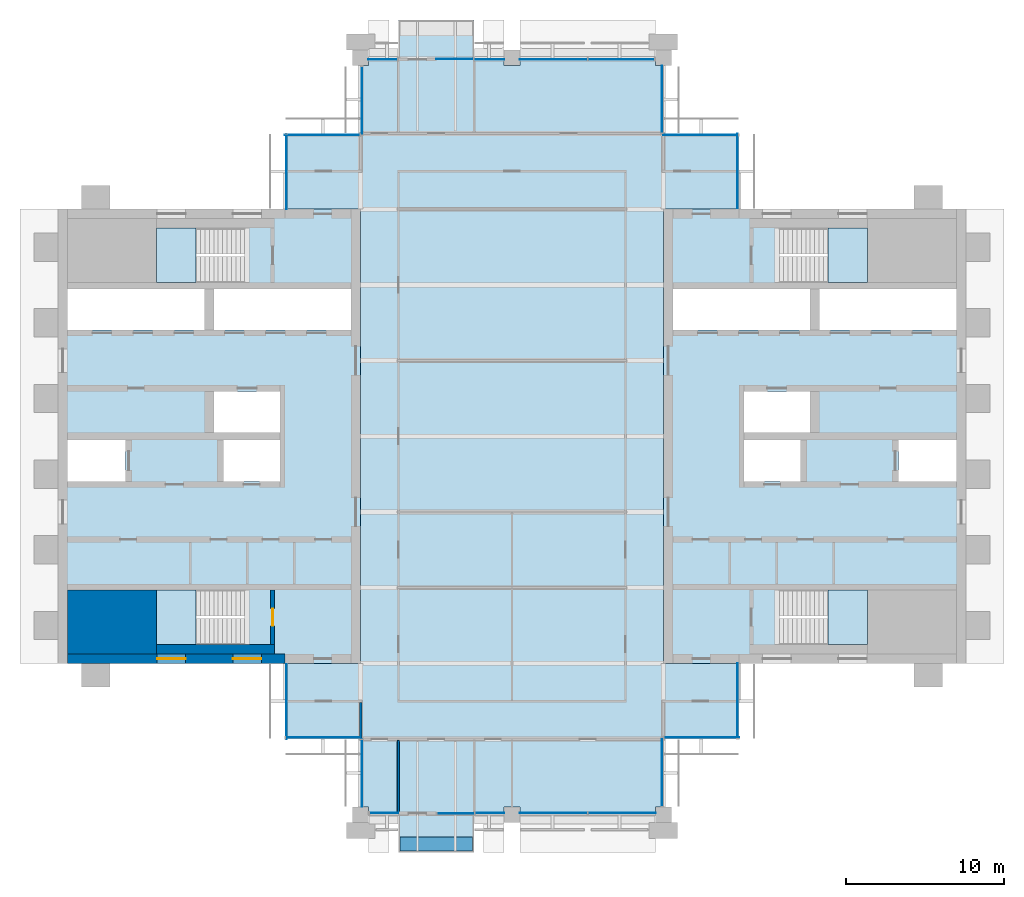
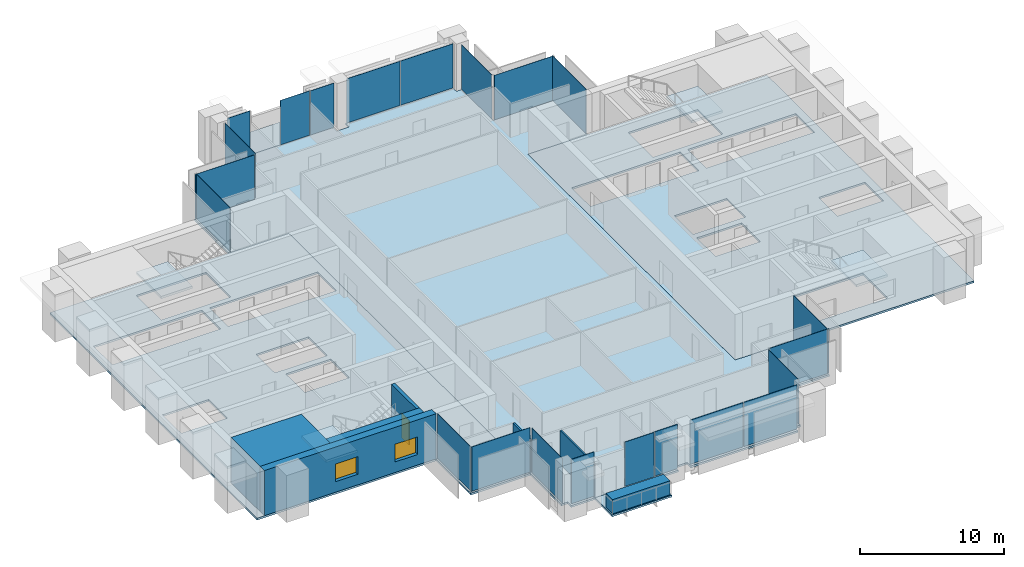
# One storey, part 7 of 13: 22 plates, 9 slabs, 7 walls, 2 windows, 1 door, 3 openings, 22 elements without a shape of their own.
"""IFC4 building model written with IfcOpenShell, lengths in metres."""

from ifc_helpers import new_model, si_unit, direction, frame, frame_2d, origin, origin_2d, place, context, subcontext, project, spatial, polyline, rectangle, outline, extrude, material, layer, layer_set, type_object, element, fill, aggregate, save


model = new_model("IFC4")

# Units and contexts
model_context = context("Model", 3, precision=1e-05, world=origin(), true_north=direction((0.0, 1.0)))
body_context = subcontext(model_context, "Body", "Model", "MODEL_VIEW")
ifc_project = project(units=[si_unit("LENGTHUNIT", "METRE"), si_unit("AREAUNIT", "SQUARE_METRE"), si_unit("VOLUMEUNIT", "CUBIC_METRE"), si_unit("PLANEANGLEUNIT", "RADIAN"), si_unit("MASSUNIT", "GRAM", prefix="KILO")], contexts=[model_context])

# Site, building, storey
site_placement = place(None, origin())
site = spatial("IfcSite", under=ifc_project, at=site_placement, CompositionType="ELEMENT")
building_placement = place(site_placement, origin())
building = spatial("IfcBuilding", under=site, at=building_placement, Name="Baori Bourse Tower", CompositionType="ELEMENT")
storey_placement = place(building_placement, frame((0.0, 0.0, 338.300048828125)))
storey = spatial("IfcBuildingStorey", under=building, at=storey_placement, Name="L75", CompositionType="ELEMENT", Elevation=338.300048828125)

# Slabs
ifc_material_1 = material(Name="Concrete f'c 40 MPa", Category="concrete")
ifc_layer_1 = layer(ifc_material_1, 0.159912109375)
ifc_layer_set_1 = layer_set([ifc_layer_1], Name="BL2 Balcony slab 160")
slab_type_1 = type_object("IfcSlabType", Name="BL2 Balcony slab 160", PredefinedType="FLOOR", material=ifc_layer_set_1)
slab_1_placement = place(storey_placement, frame((0.0, 0.0, -0.16015625)))
element("IfcSlab", 1, at=slab_1_placement, inside=storey, type_object=slab_type_1, Name="Balcony slab L75 S", PredefinedType="FLOOR", context=body_context, shape_type="SweptSolid", body=[
    extrude(outline(polyline([(21.60009765625, 0.0), (21.60009765625, -2.39990234375), (26.39990234375, -2.39990234375), (26.39990234375, 0.0), (21.60009765625, 0.0)])), origin(), (0.0, 0.0, 1.0), 0.16015625),
])
slab_2_placement = place(storey_placement, frame((0.0, 0.0, -0.16015625)))
element("IfcSlab", 2, at=slab_2_placement, inside=storey, type_object=slab_type_1, Name="Balcony slab L75 N", PredefinedType="FLOOR", context=body_context, shape_type="SweptSolid", body=[
    extrude(outline(polyline([(21.60009765625, 48.0), (26.39990234375, 48.0), (26.39990234375, 50.39990234375), (21.60009765625, 50.39990234375), (21.60009765625, 48.0)])), origin(), (0.0, 0.0, 1.0), 0.16015625),
])

# Curtain wall, plate
ifc_material_2 = material(Name="Pale anodised aluminium", Category="aluminium")
curtain_wall_type_1 = type_object("IfcCurtainWallType", Name="CW2 Curtain wall", PredefinedType="NOTDEFINED", material=ifc_material_2)
curtain_wall_1_placement = place(storey_placement, origin())
curtain_wall_1 = element("IfcCurtainWall", 3, at=curtain_wall_1_placement, inside=storey, type_object=curtain_wall_type_1, Name="Curtain wall CW2 L75 1", PredefinedType="NOTDEFINED")
ifc_material_3 = material(Name="Clear glass", Category="glass")
ifc_layer_2 = layer(ifc_material_3, 0.030029296875)
ifc_layer_set_2 = layer_set([ifc_layer_2], Name="CW2 Curtain wall panel")
plate_type_1 = type_object("IfcPlateType", Name="CW2 Curtain wall panel", PredefinedType="CURTAIN_PANEL", material=ifc_layer_set_2)
plate_1_placement = place(storey_placement, frame((43.110107421875, 40.827392578125, 0.06982421875), z_axis=(0.0, 0.0, 1.0), x_axis=(0.0, 1.0, 0.0)))
plate_1 = element("IfcPlate", 4, at=plate_1_placement, type_object=plate_type_1, Name="Curtain wall CW2 panel", PredefinedType="CURTAIN_PANEL", context=body_context, shape_type="SweptSolid", body=[
    extrude(rectangle(XDim=4.7451171875, YDim=0.030029296875, at=origin_2d()), origin(), (0.0, 0.0, 1.0), 3.77001953125),
])
aggregate(curtain_wall_1, [plate_1])

curtain_wall_2_placement = place(storey_placement, origin())
curtain_wall_2 = element("IfcCurtainWall", 5, at=curtain_wall_2_placement, inside=storey, type_object=curtain_wall_type_1, Name="Curtain wall CW2 L75 2", PredefinedType="NOTDEFINED")
plate_2_placement = place(storey_placement, frame((40.7724609375, 43.110107421875, 0.06982421875), z_axis=(0.0, 0.0, 1.0), x_axis=(-1.0, 0.0, 0.0)))
plate_2 = element("IfcPlate", 6, at=plate_2_placement, type_object=plate_type_1, Name="Curtain wall CW2 panel", PredefinedType="CURTAIN_PANEL", context=body_context, shape_type="SweptSolid", body=[
    extrude(rectangle(XDim=4.7451171875, YDim=0.030029296875, at=origin_2d()), origin(), (0.0, 0.0, 1.0), 3.77001953125),
])
aggregate(curtain_wall_2, [plate_2])

curtain_wall_3_placement = place(storey_placement, origin())
curtain_wall_3 = element("IfcCurtainWall", 7, at=curtain_wall_3_placement, inside=storey, type_object=curtain_wall_type_1, Name="Curtain wall CW2 L75 3", PredefinedType="NOTDEFINED")
plate_3_placement = place(storey_placement, frame((38.31005859375, 45.37744140625, 0.06982421875), z_axis=(0.0, 0.0, 1.0), x_axis=(0.0, 1.0, 0.0)))
plate_3 = element("IfcPlate", 8, at=plate_3_placement, type_object=plate_type_1, Name="Curtain wall CW2 panel", PredefinedType="CURTAIN_PANEL", context=body_context, shape_type="SweptSolid", body=[
    extrude(rectangle(XDim=4.2451171875, YDim=0.030029296875, at=origin_2d()), origin(), (0.0, 0.0, 1.0), 3.77001953125),
])
aggregate(curtain_wall_3, [plate_3])

curtain_wall_4_placement = place(storey_placement, origin())
curtain_wall_4 = element("IfcCurtainWall", 9, at=curtain_wall_4_placement, inside=storey, type_object=curtain_wall_type_1, Name="Curtain wall CW2 L75 7", PredefinedType="NOTDEFINED")
plate_4_placement = place(storey_placement, frame((19.2900390625, 45.322509765625, 0.06982421875), z_axis=(0.0, 0.0, 1.0), x_axis=(0.0, -1.0, 0.0)))
plate_4 = element("IfcPlate", 10, at=plate_4_placement, type_object=plate_type_1, Name="Curtain wall CW2 panel", PredefinedType="CURTAIN_PANEL", context=body_context, shape_type="SweptSolid", body=[
    extrude(rectangle(XDim=4.2451171875, YDim=0.030029296875, at=origin_2d()), origin(), (0.0, 0.0, 1.0), 3.77001953125),
])
aggregate(curtain_wall_4, [plate_4])

curtain_wall_5_placement = place(storey_placement, origin())
curtain_wall_5 = element("IfcCurtainWall", 11, at=curtain_wall_5_placement, inside=storey, type_object=curtain_wall_type_1, Name="Curtain wall CW2 L75 8", PredefinedType="NOTDEFINED")
plate_5_placement = place(storey_placement, frame((16.7724609375, 43.110107421875, 0.06982421875), z_axis=(0.0, 0.0, 1.0), x_axis=(-1.0, 0.0, 0.0)))
plate_5 = element("IfcPlate", 12, at=plate_5_placement, type_object=plate_type_1, Name="Curtain wall CW2 panel", PredefinedType="CURTAIN_PANEL", context=body_context, shape_type="SweptSolid", body=[
    extrude(rectangle(XDim=4.7451171875, YDim=0.030029296875, at=origin_2d()), origin(), (0.0, 0.0, 1.0), 3.77001953125),
])
aggregate(curtain_wall_5, [plate_5])

curtain_wall_6_placement = place(storey_placement, origin())
curtain_wall_6 = element("IfcCurtainWall", 13, at=curtain_wall_6_placement, inside=storey, type_object=curtain_wall_type_1, Name="Curtain wall CW2 L75 9", PredefinedType="NOTDEFINED")
plate_6_placement = place(storey_placement, frame((14.489990234375, 40.7724609375, 0.06982421875), z_axis=(0.0, 0.0, 1.0), x_axis=(0.0, -1.0, 0.0)))
plate_6 = element("IfcPlate", 14, at=plate_6_placement, type_object=plate_type_1, Name="Curtain wall CW2 panel", PredefinedType="CURTAIN_PANEL", context=body_context, shape_type="SweptSolid", body=[
    extrude(rectangle(XDim=4.7451171875, YDim=0.030029296875, at=origin_2d()), origin(), (0.0, 0.0, 1.0), 3.77001953125),
])
aggregate(curtain_wall_6, [plate_6])

curtain_wall_7_placement = place(storey_placement, origin())
curtain_wall_7 = element("IfcCurtainWall", 15, at=curtain_wall_7_placement, inside=storey, type_object=curtain_wall_type_1, Name="Curtain wall CW2 L75 10", PredefinedType="NOTDEFINED")
plate_7_placement = place(storey_placement, frame((14.489990234375, 7.172607421875, 0.06982421875), z_axis=(0.0, 0.0, 1.0), x_axis=(0.0, -1.0, 0.0)))
plate_7 = element("IfcPlate", 16, at=plate_7_placement, type_object=plate_type_1, Name="Curtain wall CW2 panel", PredefinedType="CURTAIN_PANEL", context=body_context, shape_type="SweptSolid", body=[
    extrude(rectangle(XDim=4.7451171875, YDim=0.030029296875, at=origin_2d()), origin(), (0.0, 0.0, 1.0), 3.77001953125),
])
aggregate(curtain_wall_7, [plate_7])

curtain_wall_8_placement = place(storey_placement, origin())
curtain_wall_8 = element("IfcCurtainWall", 17, at=curtain_wall_8_placement, inside=storey, type_object=curtain_wall_type_1, Name="Curtain wall CW2 L75 11", PredefinedType="NOTDEFINED")
plate_8_placement = place(storey_placement, frame((16.827392578125, 4.889892578125, 0.06982421875), z_axis=(0.0, 0.0, 1.0), x_axis=(1.0, 0.0, 0.0)))
plate_8 = element("IfcPlate", 18, at=plate_8_placement, type_object=plate_type_1, Name="Curtain wall CW2 panel", PredefinedType="CURTAIN_PANEL", context=body_context, shape_type="SweptSolid", body=[
    extrude(rectangle(XDim=4.7451171875, YDim=0.030029296875, at=origin_2d()), origin(), (0.0, 0.0, 1.0), 3.77001953125),
])
aggregate(curtain_wall_8, [plate_8])

curtain_wall_9_placement = place(storey_placement, origin())
curtain_wall_9 = element("IfcCurtainWall", 19, at=curtain_wall_9_placement, inside=storey, type_object=curtain_wall_type_1, Name="Curtain wall CW2 L75 12", PredefinedType="NOTDEFINED")
plate_9_placement = place(storey_placement, frame((19.2900390625, 2.62255859375, 0.06982421875), z_axis=(0.0, 0.0, 1.0), x_axis=(0.0, -1.0, 0.0)))
plate_9 = element("IfcPlate", 20, at=plate_9_placement, type_object=plate_type_1, Name="Curtain wall CW2 panel", PredefinedType="CURTAIN_PANEL", context=body_context, shape_type="SweptSolid", body=[
    extrude(rectangle(XDim=4.2451171875, YDim=0.030029296875, at=origin_2d()), origin(), (0.0, 0.0, 1.0), 3.77001953125),
])
aggregate(curtain_wall_9, [plate_9])

curtain_wall_10_placement = place(storey_placement, origin())
curtain_wall_10 = element("IfcCurtainWall", 21, at=curtain_wall_10_placement, inside=storey, type_object=curtain_wall_type_1, Name="Curtain wall CW2 L75 16", PredefinedType="NOTDEFINED")
plate_10_placement = place(storey_placement, frame((38.31005859375, 2.677490234375, 0.06982421875), z_axis=(0.0, 0.0, 1.0), x_axis=(0.0, 1.0, 0.0)))
plate_10 = element("IfcPlate", 22, at=plate_10_placement, type_object=plate_type_1, Name="Curtain wall CW2 panel", PredefinedType="CURTAIN_PANEL", context=body_context, shape_type="SweptSolid", body=[
    extrude(rectangle(XDim=4.2451171875, YDim=0.030029296875, at=origin_2d()), origin(), (0.0, 0.0, 1.0), 3.77001953125),
])
aggregate(curtain_wall_10, [plate_10])

curtain_wall_11_placement = place(storey_placement, origin())
curtain_wall_11 = element("IfcCurtainWall", 23, at=curtain_wall_11_placement, inside=storey, type_object=curtain_wall_type_1, Name="Curtain wall CW2 L75 17", PredefinedType="NOTDEFINED")
plate_11_placement = place(storey_placement, frame((40.827392578125, 4.889892578125, 0.06982421875), z_axis=(0.0, 0.0, 1.0), x_axis=(1.0, 0.0, 0.0)))
plate_11 = element("IfcPlate", 24, at=plate_11_placement, type_object=plate_type_1, Name="Curtain wall CW2 panel", PredefinedType="CURTAIN_PANEL", context=body_context, shape_type="SweptSolid", body=[
    extrude(rectangle(XDim=4.7451171875, YDim=0.030029296875, at=origin_2d()), origin(), (0.0, 0.0, 1.0), 3.77001953125),
])
aggregate(curtain_wall_11, [plate_11])

curtain_wall_12_placement = place(storey_placement, origin())
curtain_wall_12 = element("IfcCurtainWall", 25, at=curtain_wall_12_placement, inside=storey, type_object=curtain_wall_type_1, Name="Curtain wall CW2 L75 18", PredefinedType="NOTDEFINED")
plate_12_placement = place(storey_placement, frame((43.110107421875, 7.2275390625, 0.06982421875), z_axis=(0.0, 0.0, 1.0), x_axis=(0.0, 1.0, 0.0)))
plate_12 = element("IfcPlate", 26, at=plate_12_placement, type_object=plate_type_1, Name="Curtain wall CW2 panel", PredefinedType="CURTAIN_PANEL", context=body_context, shape_type="SweptSolid", body=[
    extrude(rectangle(XDim=4.7451171875, YDim=0.030029296875, at=origin_2d()), origin(), (0.0, 0.0, 1.0), 3.77001953125),
])
aggregate(curtain_wall_12, [plate_12])

# Curtain wall, plates
ifc_material_4 = material(Name="Pale anodised aluminium", Category="aluminium")
curtain_wall_type_2 = type_object("IfcCurtainWallType", Name="CW5 Curtain wall", PredefinedType="NOTDEFINED", material=ifc_material_4)
curtain_wall_13_placement = place(storey_placement, origin())
curtain_wall_13 = element("IfcCurtainWall", 27, at=curtain_wall_13_placement, inside=storey, type_object=curtain_wall_type_2, Name="Curtain wall CW5 L75 4", PredefinedType="NOTDEFINED")
ifc_material_5 = material(Name="Clear glass", Category="glass")
ifc_layer_3 = layer(ifc_material_5, 0.035888671875)
ifc_layer_set_3 = layer_set([ifc_layer_3], Name="CW5 Curtain wall panel")
plate_type_2 = type_object("IfcPlateType", Name="CW5 Curtain wall panel", PredefinedType="CURTAIN_PANEL", material=ifc_layer_set_3)
plate_13_placement = place(storey_placement, frame((35.733642578125, 47.889892578125, 0.0849609375), z_axis=(0.0, 0.0, 1.0), x_axis=(-1.0, 0.0, 0.0)))
plate_13 = element("IfcPlate", 28, at=plate_13_placement, type_object=plate_type_2, Name="Curtain wall CW5 panel", PredefinedType="CURTAIN_PANEL", context=body_context, shape_type="SweptSolid", body=[
    extrude(rectangle(XDim=4.202392578125, YDim=0.035888671875, at=origin_2d()), origin(), (0.0, 0.0, 1.0), 3.7548828125),
])
plate_14_placement = place(storey_placement, frame((31.433837890625, 47.889892578125, 0.0849609375), z_axis=(0.0, 0.0, 1.0), x_axis=(-1.0, 0.0, 0.0)))
plate_14 = element("IfcPlate", 29, at=plate_14_placement, type_object=plate_type_2, Name="Curtain wall CW5 panel", PredefinedType="CURTAIN_PANEL", context=body_context, shape_type="SweptSolid", body=[
    extrude(rectangle(XDim=4.267578125, YDim=0.035888671875, at=origin_2d()), origin(), (0.0, 0.0, 1.0), 3.7548828125),
])
plate_15_placement = place(storey_placement, frame((27.35009765625, 47.889892578125, 0.0849609375), z_axis=(0.0, 0.0, 1.0), x_axis=(-1.0, 0.0, 0.0)))
plate_15 = element("IfcPlate", 30, at=plate_15_placement, type_object=plate_type_2, Name="Curtain wall CW5 panel", PredefinedType="CURTAIN_PANEL", context=body_context, shape_type="SweptSolid", body=[
    extrude(rectangle(XDim=1.89990234375, YDim=0.035888671875, at=origin_2d()), origin(), (0.0, 0.0, 1.0), 3.7548828125),
])
aggregate(curtain_wall_13, [plate_13, plate_14, plate_15])

# Curtain wall, plate
curtain_wall_14_placement = place(storey_placement, origin())
curtain_wall_14 = element("IfcCurtainWall", 31, at=curtain_wall_14_placement, inside=storey, type_object=curtain_wall_type_2, Name="Curtain wall CW5 L75 6", PredefinedType="NOTDEFINED")
plate_16_placement = place(storey_placement, frame((20.617431640625, 47.889892578125, 0.0849609375), z_axis=(0.0, 0.0, 1.0), x_axis=(-1.0, 0.0, 0.0)))
plate_16 = element("IfcPlate", 32, at=plate_16_placement, type_object=plate_type_2, Name="Curtain wall CW5 panel", PredefinedType="CURTAIN_PANEL", context=body_context, shape_type="SweptSolid", body=[
    extrude(rectangle(XDim=1.8349609375, YDim=0.035888671875, at=origin_2d()), origin(), (0.0, 0.0, 1.0), 3.7548828125),
])
aggregate(curtain_wall_14, [plate_16])

curtain_wall_15_placement = place(storey_placement, origin())
curtain_wall_15 = element("IfcCurtainWall", 33, at=curtain_wall_15_placement, inside=storey, type_object=curtain_wall_type_2, Name="Curtain wall CW5 L75 13", PredefinedType="NOTDEFINED")
plate_17_placement = place(storey_placement, frame((20.6826171875, 0.110107421875, 0.0849609375), z_axis=(0.0, 0.0, 1.0), x_axis=(1.0, 0.0, 0.0)))
plate_17 = element("IfcPlate", 34, at=plate_17_placement, type_object=plate_type_2, Name="Curtain wall CW5 panel", PredefinedType="CURTAIN_PANEL", context=body_context, shape_type="SweptSolid", body=[
    extrude(rectangle(XDim=1.8349609375, YDim=0.035888671875, at=origin_2d()), origin(), (0.0, 0.0, 1.0), 3.7548828125),
])
aggregate(curtain_wall_15, [plate_17])

# Curtain wall, plates
curtain_wall_16_placement = place(storey_placement, origin())
curtain_wall_16 = element("IfcCurtainWall", 35, at=curtain_wall_16_placement, inside=storey, type_object=curtain_wall_type_2, Name="Curtain wall CW5 L75 15", PredefinedType="NOTDEFINED")
plate_18_placement = place(storey_placement, frame((27.382568359375, 0.110107421875, 0.0849609375), z_axis=(0.0, 0.0, 1.0), x_axis=(1.0, 0.0, 0.0)))
plate_18 = element("IfcPlate", 36, at=plate_18_placement, type_object=plate_type_2, Name="Curtain wall CW5 panel", PredefinedType="CURTAIN_PANEL", context=body_context, shape_type="SweptSolid", body=[
    extrude(rectangle(XDim=1.8349609375, YDim=0.035888671875, at=origin_2d()), origin(), (0.0, 0.0, 1.0), 3.7548828125),
])
plate_19_placement = place(storey_placement, frame((31.433837890625, 0.110107421875, 0.0849609375), z_axis=(0.0, 0.0, 1.0), x_axis=(1.0, 0.0, 0.0)))
plate_19 = element("IfcPlate", 37, at=plate_19_placement, type_object=plate_type_2, Name="Curtain wall CW5 panel", PredefinedType="CURTAIN_PANEL", context=body_context, shape_type="SweptSolid", body=[
    extrude(rectangle(XDim=4.267578125, YDim=0.035888671875, at=origin_2d()), origin(), (0.0, 0.0, 1.0), 3.7548828125),
])
plate_20_placement = place(storey_placement, frame((35.766357421875, 0.110107421875, 0.0849609375), z_axis=(0.0, 0.0, 1.0), x_axis=(1.0, 0.0, 0.0)))
plate_20 = element("IfcPlate", 38, at=plate_20_placement, type_object=plate_type_2, Name="Curtain wall CW5 panel", PredefinedType="CURTAIN_PANEL", context=body_context, shape_type="SweptSolid", body=[
    extrude(rectangle(XDim=4.267578125, YDim=0.035888671875, at=origin_2d()), origin(), (0.0, 0.0, 1.0), 3.7548828125),
])
aggregate(curtain_wall_16, [plate_18, plate_19, plate_20])

# Curtain wall, plate
ifc_material_6 = material(Name="Pale anodised aluminium", Category="aluminium")
curtain_wall_type_3 = type_object("IfcCurtainWallType", Name="CW6 Curtain wall", PredefinedType="NOTDEFINED", material=ifc_material_6)
curtain_wall_17_placement = place(storey_placement, origin())
curtain_wall_17 = element("IfcCurtainWall", 39, at=curtain_wall_17_placement, inside=storey, type_object=curtain_wall_type_3, Name="Curtain wall CW6 L75 5", PredefinedType="NOTDEFINED")
ifc_material_7 = material(Name="Clear glass", Category="glass")
ifc_layer_4 = layer(ifc_material_7, 0.028076171875)
ifc_layer_set_4 = layer_set([ifc_layer_4], Name="CW6 Curtain wall panel")
plate_type_3 = type_object("IfcPlateType", Name="CW6 Curtain wall panel", PredefinedType="CURTAIN_PANEL", material=ifc_layer_set_4)
plate_21_placement = place(storey_placement, frame((25.175048828125, 47.925048828125, 0.06494140625), z_axis=(0.0, 0.0, 1.0), x_axis=(-1.0, 0.0, 0.0)))
plate_21 = element("IfcPlate", 40, at=plate_21_placement, type_object=plate_type_3, Name="Curtain wall CW6 panel", PredefinedType="CURTAIN_PANEL", context=body_context, shape_type="SweptSolid", body=[
    extrude(rectangle(XDim=2.35009765625, YDim=0.028076171875, at=origin_2d()), origin(), (0.0, 0.0, 1.0), 3.77490234375),
])
aggregate(curtain_wall_17, [plate_21])

curtain_wall_18_placement = place(storey_placement, origin())
curtain_wall_18 = element("IfcCurtainWall", 41, at=curtain_wall_18_placement, inside=storey, type_object=curtain_wall_type_3, Name="Curtain wall CW6 L75 14", PredefinedType="NOTDEFINED")
plate_22_placement = place(storey_placement, frame((25.22509765625, 0.074951171875, 0.06494140625), z_axis=(0.0, 0.0, 1.0), x_axis=(1.0, 0.0, 0.0)))
plate_22 = element("IfcPlate", 42, at=plate_22_placement, type_object=plate_type_3, Name="Curtain wall CW6 panel", PredefinedType="CURTAIN_PANEL", context=body_context, shape_type="SweptSolid", body=[
    extrude(rectangle(XDim=2.35009765625, YDim=0.028076171875, at=origin_2d()), origin(), (0.0, 0.0, 1.0), 3.77490234375),
])
aggregate(curtain_wall_18, [plate_22])

# Slabs
ifc_material_8 = material(Name="Concrete f'c 50 MPa", Category="concrete")
ifc_layer_5 = layer(ifc_material_8, 0.159912109375)
ifc_layer_set_5 = layer_set([ifc_layer_5], Name="Core slab 160")
slab_type_2 = type_object("IfcSlabType", Name="Core slab 160", PredefinedType="FLOOR", material=ifc_layer_set_5)
slab_3_placement = place(storey_placement, frame((0.0, 0.0, -0.16015625)))
element("IfcSlab", 43, at=slab_3_placement, inside=storey, type_object=slab_type_2, Name="Core floor slab W01", PredefinedType="FLOOR", context=body_context, shape_type="SweptSolid", body=[
    extrude(outline(polyline([(19.199951171875, 38.39990234375), (0.0, 38.39990234375), (0.0, 9.60009765625), (19.199951171875, 9.60009765625), (19.199951171875, 38.39990234375)]), holes=[polyline([(9.89990234375, 33.35009765625), (18.60009765625, 33.35009765625), (18.60009765625, 30.75), (9.89990234375, 30.75), (9.89990234375, 33.35009765625)]), polyline([(10.5, 21.14990234375), (10.5, 23.75), (14.10009765625, 23.75), (14.10009765625, 21.14990234375), (10.5, 21.14990234375)]), polyline([(14.10009765625, 24.25), (9.89990234375, 24.25), (9.89990234375, 26.85009765625), (14.10009765625, 26.85009765625), (14.10009765625, 24.25)]), polyline([(6.25, 14.25), (11.84912109375, 14.25), (11.84912109375, 10.800048828125), (6.25, 10.800048828125), (6.25, 14.25)]), polyline([(11.84912109375, 37.199951171875), (11.84912109375, 33.75), (6.25, 33.75), (6.25, 37.199951171875), (11.84912109375, 37.199951171875)]), polyline([(0.60009765625, 30.75), (0.60009765625, 33.35009765625), (9.300048828125, 33.35009765625), (9.300048828125, 30.75), (0.60009765625, 30.75)]), polyline([(4.300048828125, 23.75), (4.300048828125, 21.14990234375), (0.60009765625, 21.14990234375), (0.60009765625, 23.75), (4.300048828125, 23.75)])]), origin(), (0.0, 0.0, 1.0), 0.16015625),
])
slab_4_placement = place(storey_placement, frame((0.0, 0.0, -0.16015625)))
element("IfcSlab", 44, at=slab_4_placement, inside=storey, type_object=slab_type_2, Name="Core floor slab E01", PredefinedType="FLOOR", context=body_context, shape_type="SweptSolid", body=[
    extrude(outline(polyline([(57.60009765625, 9.60009765625), (57.60009765625, 38.39990234375), (38.39990234375, 38.39990234375), (38.39990234375, 9.60009765625), (57.60009765625, 9.60009765625)]), holes=[polyline([(48.300048828125, 33.35009765625), (57.0, 33.35009765625), (57.0, 30.75), (48.300048828125, 30.75), (48.300048828125, 33.35009765625)]), polyline([(57.0, 21.14990234375), (53.300048828125, 21.14990234375), (53.300048828125, 23.75), (57.0, 23.75), (57.0, 21.14990234375)]), polyline([(45.750732421875, 14.25), (51.35009765625, 14.25), (51.35009765625, 10.800048828125), (45.750732421875, 10.800048828125), (45.750732421875, 14.25)]), polyline([(51.35009765625, 37.199951171875), (51.35009765625, 33.75), (45.750732421875, 33.75), (45.750732421875, 37.199951171875), (51.35009765625, 37.199951171875)]), polyline([(43.5, 24.25), (43.5, 26.85009765625), (47.699951171875, 26.85009765625), (47.699951171875, 24.25), (43.5, 24.25)]), polyline([(47.699951171875, 33.35009765625), (47.699951171875, 30.75), (39.0, 30.75), (39.0, 33.35009765625), (47.699951171875, 33.35009765625)]), polyline([(43.5, 23.75), (47.10009765625, 23.75), (47.10009765625, 21.14990234375), (43.5, 21.14990234375), (43.5, 23.75)])]), origin(), (0.0, 0.0, 1.0), 0.16015625),
])

# Stair, slab
ifc_material_9 = material(Name="Concrete f'c 50 MPa", Category="concrete")
stair_type = type_object("IfcStairType", Name="Core stair", PredefinedType="HALF_TURN_STAIR", material=ifc_material_9)
stair_1_placement = place(storey_placement, origin())
stair_1 = element("IfcStair", 45, at=stair_1_placement, inside=storey, type_object=stair_type, Name="L75 Stair WA", PredefinedType="HALF_TURN_STAIR")
ifc_material_10 = material(Name="Concrete f'c 50 MPa", Category="concrete")
slab_type_3 = type_object("IfcSlabType", Name="Core stair landing", PredefinedType="LANDING", material=ifc_material_10)
slab_5_placement = place(storey_placement, frame((0.0, 0.0, 1.800048828125)))
slab_5 = element("IfcSlab", 46, at=slab_5_placement, type_object=slab_type_3, Name="ST1 landing 1", PredefinedType="LANDING", context=body_context, shape_type="SweptSolid", body=[
    extrude(outline(polyline([(8.77001953125, 14.25), (6.25, 14.25), (6.25, 10.800048828125), (8.77001953125, 10.800048828125), (8.77001953125, 14.25)])), origin(), (0.0, 0.0, 1.0), 0.199951171875),
])
aggregate(stair_1, [slab_5])

stair_2_placement = place(storey_placement, origin())
stair_2 = element("IfcStair", 47, at=stair_2_placement, inside=storey, type_object=stair_type, Name="L75 Stair WB", PredefinedType="HALF_TURN_STAIR")
slab_6_placement = place(storey_placement, frame((0.0, 0.0, 1.800048828125)))
slab_6 = element("IfcSlab", 48, at=slab_6_placement, type_object=slab_type_3, Name="ST2 landing 1", PredefinedType="LANDING", context=body_context, shape_type="SweptSolid", body=[
    extrude(outline(polyline([(8.77001953125, 37.199951171875), (6.25, 37.199951171875), (6.25, 33.75), (8.77001953125, 33.75), (8.77001953125, 37.199951171875)])), origin(), (0.0, 0.0, 1.0), 0.199951171875),
])
aggregate(stair_2, [slab_6])

stair_3_placement = place(storey_placement, origin())
stair_3 = element("IfcStair", 49, at=stair_3_placement, inside=storey, type_object=stair_type, Name="L75 Stair EA", PredefinedType="HALF_TURN_STAIR")
slab_7_placement = place(storey_placement, frame((0.0, 0.0, 1.800048828125)))
slab_7 = element("IfcSlab", 50, at=slab_7_placement, type_object=slab_type_3, Name="ST3 landing 1", PredefinedType="LANDING", context=body_context, shape_type="SweptSolid", body=[
    extrude(outline(polyline([(48.830078125, 10.800048828125), (51.35009765625, 10.800048828125), (51.35009765625, 14.25), (48.830078125, 14.25), (48.830078125, 10.800048828125)])), origin(), (0.0, 0.0, 1.0), 0.199951171875),
])
aggregate(stair_3, [slab_7])

stair_4_placement = place(storey_placement, origin())
stair_4 = element("IfcStair", 51, at=stair_4_placement, inside=storey, type_object=stair_type, Name="L75 Stair EB", PredefinedType="HALF_TURN_STAIR")
slab_8_placement = place(storey_placement, frame((0.0, 0.0, 1.800048828125)))
slab_8 = element("IfcSlab", 52, at=slab_8_placement, type_object=slab_type_3, Name="ST4 landing 1", PredefinedType="LANDING", context=body_context, shape_type="SweptSolid", body=[
    extrude(outline(polyline([(48.830078125, 33.75), (51.35009765625, 33.75), (51.35009765625, 37.199951171875), (48.830078125, 37.199951171875), (48.830078125, 33.75)])), origin(), (0.0, 0.0, 1.0), 0.199951171875),
])
aggregate(stair_4, [slab_8])

# Slab
ifc_material_11 = material(Name="Concrete f'c 40 MPa", Category="concrete")
ifc_layer_6 = layer(ifc_material_11, 0.159912109375)
ifc_layer_set_6 = layer_set([ifc_layer_6], Name="Floor slab 160")
slab_type_4 = type_object("IfcSlabType", Name="Floor slab 160", PredefinedType="FLOOR", material=ifc_layer_set_6)
slab_9_placement = place(storey_placement, frame((0.0, 0.0, -0.16015625)))
element("IfcSlab", 53, at=slab_9_placement, inside=storey, type_object=slab_type_4, Name="Floor slab L75", PredefinedType="FLOOR", context=body_context, shape_type="SweptSolid", body=[
    extrude(outline(polyline([(19.199951171875, 4.800048828125), (14.39990234375, 4.800048828125), (14.39990234375, 9.60009765625), (19.199951171875, 9.60009765625), (19.199951171875, 38.39990234375), (14.39990234375, 38.39990234375), (14.39990234375, 43.199951171875), (19.199951171875, 43.199951171875), (19.199951171875, 47.5), (19.699951171875, 47.5), (19.699951171875, 48.0), (28.300048828125, 48.0), (28.300048828125, 47.5), (29.300048828125, 47.5), (29.300048828125, 48.0), (37.89990234375, 48.0), (37.89990234375, 47.5), (38.39990234375, 47.5), (38.39990234375, 43.199951171875), (43.199951171875, 43.199951171875), (43.199951171875, 38.39990234375), (38.39990234375, 38.39990234375), (38.39990234375, 9.60009765625), (43.199951171875, 9.60009765625), (43.199951171875, 4.800048828125), (38.39990234375, 4.800048828125), (38.39990234375, 0.5), (37.89990234375, 0.5), (37.89990234375, 0.0), (29.300048828125, 0.0), (29.300048828125, 0.5), (28.300048828125, 0.5), (28.300048828125, 0.0), (19.699951171875, 0.0), (19.699951171875, 0.5), (19.199951171875, 0.5), (19.199951171875, 4.800048828125)])), origin(), (0.0, 0.0, 1.0), 0.16015625),
])

# Wall
ifc_material_12 = material(Name="Concrete f'c 40 MPa", Category="concrete")
wall_type_1 = type_object("IfcWallType", Name="Core corner block f'c 40", PredefinedType="SHEAR", material=ifc_material_12)
wall_1_placement = place(storey_placement, frame((0.60009765625, 12.22509765625, 0.0), z_axis=(0.0, 0.0, 1.0), x_axis=(1.0, 0.0, 0.0)))
element("IfcWall", 54, at=wall_1_placement, inside=storey, type_object=wall_type_1, Name="Core wall W05", PredefinedType="SHEAR", context=body_context, shape_type="SweptSolid", body=[
    extrude(rectangle(XDim=5.64990234375, YDim=4.050048828125, at=frame_2d((2.824951171875, 0.0))), origin(), (0.0, 0.0, 1.0), 3.83984375),
])

# Wall, openings, windows
ifc_material_13 = material(Name="Concrete f'c 40 MPa", Category="concrete")
ifc_layer_7 = layer(ifc_material_13, 0.60009765625)
ifc_layer_set_7 = layer_set([ifc_layer_7], Name="Core wall 600 f'c 40")
wall_type_2 = type_object("IfcWallType", Name="Core wall 600 f'c 40", PredefinedType="SHEAR", material=ifc_layer_set_7)
wall_2_placement = place(storey_placement, frame((14.39990234375, 9.89990234375, 0.0), z_axis=(0.0, 0.0, 1.0), x_axis=(-1.0, 0.0, 0.0)))
wall_2 = element("IfcWall", 55, at=wall_2_placement, inside=storey, type_object=wall_type_2, Name="Core wall W02", PredefinedType="SHEAR", context=body_context, shape_type="SweptSolid", body=[
    extrude(rectangle(XDim=13.7998046875, YDim=0.60009765625, at=frame_2d((6.89990234375, 0.0))), origin(), (0.0, 0.0, 1.0), 3.83984375),
])
opening_1_placement = place(wall_2_placement, frame((6.300048828125, 0.0, 0.89990234375)))
opening_1 = element("IfcOpeningElement", 56, at=opening_1_placement, cuts=wall_2, Name="Opening L75-KW103", PredefinedType="OPENING", context=body_context, shape_type="SweptSolid", body=[
    extrude(rectangle(XDim=1.800048828125, YDim=1.5, at=frame_2d((0.89990234375, 0.75))), frame((0.0, 0.31005859375, 0.0), z_axis=(0.0, -1.0, 0.0), x_axis=(1.0, 0.0, 0.0)), (0.0, 0.0, 1.0), 0.6201171875),
])
opening_2_placement = place(wall_2_placement, frame((1.5, 0.0, 0.89990234375)))
opening_2 = element("IfcOpeningElement", 57, at=opening_2_placement, cuts=wall_2, Name="Opening L75-KW104", PredefinedType="OPENING", context=body_context, shape_type="SweptSolid", body=[
    extrude(rectangle(XDim=1.800048828125, YDim=1.5, at=frame_2d((0.89990234375, 0.75))), frame((0.0, 0.31005859375, 0.0), z_axis=(0.0, -1.0, 0.0), x_axis=(1.0, 0.0, 0.0)), (0.0, 0.0, 1.0), 0.6201171875),
])
ifc_material_14 = material(Name="Pale anodised aluminium", Category="aluminium")
window_type = type_object("IfcWindowType", Name="Stair window 1800 x 1500", PartitioningType="SINGLE_PANEL", PredefinedType="WINDOW", material=ifc_material_14)
window_1_placement = place(opening_1_placement, origin())
window_1 = element("IfcWindow", 58, at=window_1_placement, inside=storey, type_object=window_type, Name="Stair window W L75 3", OverallHeight=1.5, OverallWidth=1.800048828125, PartitioningType="SINGLE_PANEL", PredefinedType="WINDOW", context=body_context, shape_type="SweptSolid", body=[
    extrude(rectangle(XDim=1.800048828125, YDim=1.5, at=frame_2d((0.89990234375, 0.75))), frame((0.0, 0.030029296875, 0.0), z_axis=(0.0, -1.0, 0.0), x_axis=(1.0, 0.0, 0.0)), (0.0, 0.0, 1.0), 0.06005859375),
])
fill(opening_1, window_1)
window_2_placement = place(opening_2_placement, origin())
window_2 = element("IfcWindow", 59, at=window_2_placement, inside=storey, type_object=window_type, Name="Stair window W L75 4", OverallHeight=1.5, OverallWidth=1.800048828125, PartitioningType="SINGLE_PANEL", PredefinedType="WINDOW", context=body_context, shape_type="SweptSolid", body=[
    extrude(rectangle(XDim=1.800048828125, YDim=1.5, at=frame_2d((0.89990234375, 0.75))), frame((0.0, 0.030029296875, 0.0), z_axis=(0.0, -1.0, 0.0), x_axis=(1.0, 0.0, 0.0)), (0.0, 0.0, 1.0), 0.06005859375),
])
fill(opening_2, window_2)

# Walls
ifc_material_15 = material(Name="Gypsum board partition")
ifc_layer_8 = layer(ifc_material_15, 0.14990234375)
ifc_layer_set_8 = layer_set([ifc_layer_8], Name="Corridor partition 150")
wall_type_3 = type_object("IfcWallType", Name="Corridor partition 150", PredefinedType="PARTITIONING", material=ifc_layer_set_8)
wall_3_placement = place(storey_placement, frame((19.199951171875, 4.875, 0.0), z_axis=(0.0, 0.0, 1.0), x_axis=(0.0, 1.0, 0.0)))
element("IfcWall", 60, at=wall_3_placement, inside=storey, type_object=wall_type_3, Name="Partition", PredefinedType="PARTITIONING", context=body_context, shape_type="SweptSolid", body=[
    extrude(rectangle(XDim=2.25, YDim=0.14990234375, at=frame_2d((1.125, 0.0))), origin(), (0.0, 0.0, 1.0), 2.86962890625),
])
ifc_material_16 = material(Name="Concrete f'c 40 MPa", Category="concrete")
ifc_layer_9 = layer(ifc_material_16, 0.89990234375)
ifc_layer_set_9 = layer_set([ifc_layer_9], Name="PW1 Planter wall")
wall_type_4 = type_object("IfcWallType", Name="PW1 Planter wall", PredefinedType="USERDEFINED", material=ifc_layer_set_9)
wall_4_placement = place(storey_placement, frame((21.699951171875, -1.85009765625, 0.0), z_axis=(0.0, 0.0, 1.0), x_axis=(1.0, 0.0, 0.0)))
element("IfcWall", 61, at=wall_4_placement, inside=storey, type_object=wall_type_4, Name="Planter balcony S L75 1", ObjectType="PLANTER", PredefinedType="USERDEFINED", context=body_context, shape_type="SweptSolid", body=[
    extrude(rectangle(XDim=4.60009765625, YDim=0.89990234375, at=frame_2d((2.300048828125, 0.0))), origin(), (0.0, 0.0, 1.0), 1.199951171875),
])
ifc_material_17 = material(Name="Gypsum board partition")
ifc_layer_10 = layer(ifc_material_17, 0.125)
ifc_layer_set_10 = layer_set([ifc_layer_10], Name="Partition 125")
wall_type_5 = type_object("IfcWallType", Name="Partition 125", PredefinedType="PARTITIONING", material=ifc_layer_set_10)
wall_5_placement = place(storey_placement, frame((21.60009765625, 0.10009765625, 0.0), z_axis=(0.0, 0.0, 1.0), x_axis=(0.0, 1.0, 0.0)))
element("IfcWall", 62, at=wall_5_placement, inside=storey, type_object=wall_type_5, Name="Partition", PredefinedType="PARTITIONING", context=body_context, shape_type="SweptSolid", body=[
    extrude(rectangle(XDim=4.625, YDim=0.125, at=frame_2d((2.3125, 0.0))), origin(), (0.0, 0.0, 1.0), 2.86962890625),
])

# Wall, opening, door
ifc_material_18 = material(Name="Concrete f'c 40 MPa", Category="concrete")
ifc_layer_11 = layer(ifc_material_18, 0.25)
ifc_layer_set_11 = layer_set([ifc_layer_11], Name="Shaft wall 250 f'c 40")
wall_type_6 = type_object("IfcWallType", Name="Shaft wall 250 f'c 40", PredefinedType="SHEAR", material=ifc_layer_set_11)
wall_6_placement = place(storey_placement, frame((13.625, 10.800048828125, 0.0), z_axis=(0.0, 0.0, 1.0), x_axis=(0.0, 1.0, 0.0)))
wall_6 = element("IfcWall", 63, at=wall_6_placement, inside=storey, type_object=wall_type_6, Name="Core wall W07", PredefinedType="SHEAR", context=body_context, shape_type="SweptSolid", body=[
    extrude(rectangle(XDim=3.449951171875, YDim=0.25, at=frame_2d((1.72509765625, 0.0))), origin(), (0.0, 0.0, 1.0), 3.83984375),
])
opening_3_placement = place(wall_6_placement, frame((1.175048828125, 0.0, 0.0)))
opening_3 = element("IfcOpeningElement", 64, at=opening_3_placement, cuts=wall_6, Name="Opening L75-D101", PredefinedType="OPENING", context=body_context, shape_type="SweptSolid", body=[
    extrude(rectangle(XDim=1.10009765625, YDim=2.10009765625, at=frame_2d((0.550048828125, 1.050048828125))), frame((0.0, 0.135009765625, 0.0), z_axis=(0.0, -1.0, 0.0), x_axis=(1.0, 0.0, 0.0)), (0.0, 0.0, 1.0), 0.27001953125),
])
ifc_material_19 = material(Name="Painted steel door", Category="steel")
door_type = type_object("IfcDoorType", Name="Stair door 1100", OperationType="SINGLE_SWING_LEFT", PredefinedType="DOOR", material=ifc_material_19)
door_placement = place(opening_3_placement, origin())
door = element("IfcDoor", 65, at=door_placement, inside=storey, type_object=door_type, Name="Stair door A W L75", OperationType="SINGLE_SWING_LEFT", OverallHeight=2.10009765625, OverallWidth=1.10009765625, PredefinedType="DOOR", context=body_context, shape_type="SweptSolid", body=[
    extrude(rectangle(XDim=1.10009765625, YDim=2.10009765625, at=frame_2d((0.550048828125, 1.050048828125))), frame((0.0, 0.02490234375, 0.0), z_axis=(0.0, -1.0, 0.0), x_axis=(1.0, 0.0, 0.0)), (0.0, 0.0, 1.0), 0.050048828125),
])
fill(opening_3, door)

# Wall
ifc_material_20 = material(Name="Concrete f'c 40 MPa", Category="concrete")
ifc_layer_12 = layer(ifc_material_20, 0.60009765625)
ifc_layer_set_12 = layer_set([ifc_layer_12], Name="Shaft wall 600 f'c 40")
wall_type_7 = type_object("IfcWallType", Name="Shaft wall 600 f'c 40", PredefinedType="SHEAR", material=ifc_layer_set_12)
wall_7_placement = place(storey_placement, frame((6.25, 10.5, 0.0), z_axis=(0.0, 0.0, 1.0), x_axis=(1.0, 0.0, 0.0)))
element("IfcWall", 66, at=wall_7_placement, inside=storey, type_object=wall_type_7, Name="Core wall W06", PredefinedType="SHEAR", context=body_context, shape_type="SweptSolid", body=[
    extrude(rectangle(XDim=7.5, YDim=0.60009765625, at=frame_2d((3.75, 0.0))), origin(), (0.0, 0.0, 1.0), 3.83984375),
])

save(model, "model.ifc")
